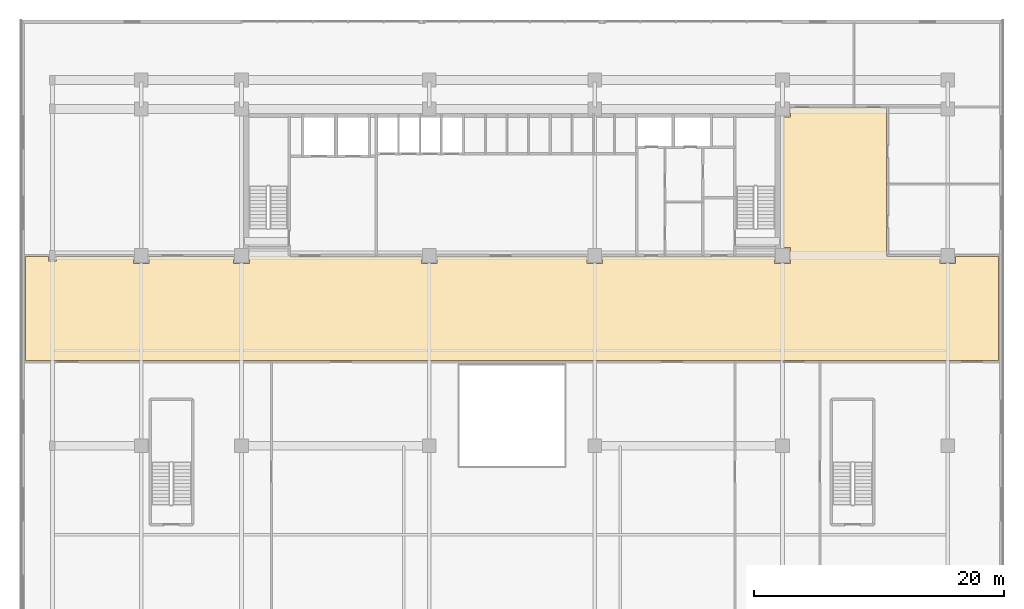
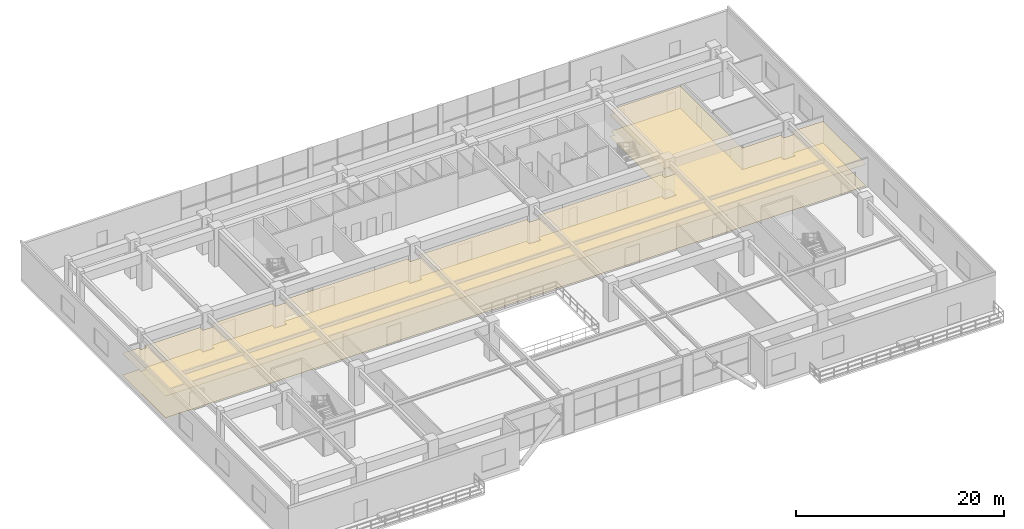
# One storey, part 22 of 24: 2 coverings.
"""IFC4 building model written with IfcOpenShell, lengths in metres."""

from ifc_helpers import new_model, si_unit, direction, frame, origin, place, context, subcontext, project, spatial, polyline, outline, extrude, material, layer, layer_set, type_object, element, save


model = new_model("IFC4")

# Units and contexts
model_context = context("Model", 3, precision=1e-05, world=origin(), true_north=direction((0.0, 1.0)))
body_context = subcontext(model_context, "Body", "Model", "MODEL_VIEW")
ifc_project = project(units=[si_unit("LENGTHUNIT", "METRE"), si_unit("AREAUNIT", "SQUARE_METRE"), si_unit("VOLUMEUNIT", "CUBIC_METRE"), si_unit("PLANEANGLEUNIT", "RADIAN"), si_unit("MASSUNIT", "GRAM", prefix="KILO")], contexts=[model_context])

# Site, building, storey
site_placement = place(None, origin())
site = spatial("IfcSite", under=ifc_project, at=site_placement, CompositionType="ELEMENT")
building_placement = place(site_placement, origin())
building = spatial("IfcBuilding", under=site, at=building_placement, Name="Trelvane Seafront Commons", CompositionType="ELEMENT")
storey_placement = place(building_placement, frame((0.0, 0.0, 9.699951171875)))
storey = spatial("IfcBuildingStorey", under=building, at=storey_placement, Name="L02", CompositionType="ELEMENT", Elevation=9.699951171875)

# Coverings
ifc_material_1 = material(Name="Acoustic Mineral Fibre Ceiling")
ifc_layer_1 = layer(ifc_material_1, 0.02490234375, Name="ARCH-COV-CEIL25")
ifc_layer_set_1 = layer_set([ifc_layer_1], Name="Acoustic Mineral Fibre Ceiling")
covering_type_1 = type_object("IfcCoveringType", Name="ARCH-COV-CEIL25", PredefinedType="CEILING", material=ifc_layer_set_1)
covering_1_placement = place(storey_placement, frame((0.0, 0.0, 2.550048828125)))
element("IfcCovering", 1, at=covering_1_placement, inside=storey, type_object=covering_type_1, Name="COV-CEIL-L02-02", PredefinedType="CEILING", context=body_context, shape_type="SweptSolid", body=[
    extrude(outline(polyline([(72.6298828125, 33.300048828125), (72.6298828125, 32.77001953125), (71.3701171875, 32.77001953125), (71.3701171875, 33.300048828125), (67.10009765625, 33.300048828125), (67.10009765625, 45.199951171875), (59.429931640625, 45.199951171875), (59.429931640625, 44.469970703125), (58.85009765625, 44.469970703125), (58.85009765625, 34.030029296875), (59.429931640625, 34.030029296875), (59.429931640625, 32.77001953125), (58.169921875, 32.77001953125), (58.169921875, 33.300048828125), (44.429931640625, 33.300048828125), (44.429931640625, 32.77001953125), (43.169921875, 32.77001953125), (43.169921875, 33.300048828125), (31.22998046875, 33.300048828125), (31.22998046875, 32.77001953125), (29.969970703125, 32.77001953125), (29.969970703125, 33.300048828125), (16.22998046875, 33.300048828125), (16.22998046875, 32.77001953125), (14.969970703125, 32.77001953125), (14.969970703125, 33.300048828125), (8.22998046875, 33.300048828125), (8.22998046875, 32.77001953125), (6.969970703125, 32.77001953125), (6.969970703125, 33.300048828125), (0.804931640625, 33.300048828125), (0.804931640625, 32.945068359375), (0.195068359375, 32.945068359375), (0.195068359375, 33.300048828125), (-1.64990234375, 33.300048828125), (-1.64990234375, 25.0), (76.050048828125, 25.0), (76.050048828125, 33.300048828125), (72.6298828125, 33.300048828125)])), origin(), (0.0, 0.0, 1.0), 0.02490234375),
])
ifc_material_2 = material(Name="Polished Terrazzo Finish")
ifc_layer_2 = layer(ifc_material_2, 0.02001953125, Name="ARCH-COV-FLOR20")
ifc_layer_set_2 = layer_set([ifc_layer_2], Name="Polished Terrazzo Finish")
covering_type_2 = type_object("IfcCoveringType", Name="ARCH-COV-FLOR20", PredefinedType="FLOORING", material=ifc_layer_set_2)
covering_2_placement = place(storey_placement, origin())
element("IfcCovering", 2, at=covering_2_placement, inside=storey, type_object=covering_type_2, Name="COV-FLOR-L02-02", PredefinedType="FLOORING", context=body_context, shape_type="SweptSolid", body=[
    extrude(outline(polyline([(72.6298828125, 33.300048828125), (72.6298828125, 32.77001953125), (71.3701171875, 32.77001953125), (71.3701171875, 33.300048828125), (67.10009765625, 33.300048828125), (67.10009765625, 45.199951171875), (59.429931640625, 45.199951171875), (59.429931640625, 44.469970703125), (58.85009765625, 44.469970703125), (58.85009765625, 34.030029296875), (59.429931640625, 34.030029296875), (59.429931640625, 32.77001953125), (58.169921875, 32.77001953125), (58.169921875, 33.300048828125), (44.429931640625, 33.300048828125), (44.429931640625, 32.77001953125), (43.169921875, 32.77001953125), (43.169921875, 33.300048828125), (31.22998046875, 33.300048828125), (31.22998046875, 32.77001953125), (29.969970703125, 32.77001953125), (29.969970703125, 33.300048828125), (16.22998046875, 33.300048828125), (16.22998046875, 32.77001953125), (14.969970703125, 32.77001953125), (14.969970703125, 33.300048828125), (8.22998046875, 33.300048828125), (8.22998046875, 32.77001953125), (6.969970703125, 32.77001953125), (6.969970703125, 33.300048828125), (0.804931640625, 33.300048828125), (0.804931640625, 32.945068359375), (0.195068359375, 32.945068359375), (0.195068359375, 33.300048828125), (-1.64990234375, 33.300048828125), (-1.64990234375, 25.0), (76.050048828125, 25.0), (76.050048828125, 33.300048828125), (72.6298828125, 33.300048828125)])), origin(), (0.0, 0.0, 1.0), 0.02001953125),
])

save(model, "model.ifc")
